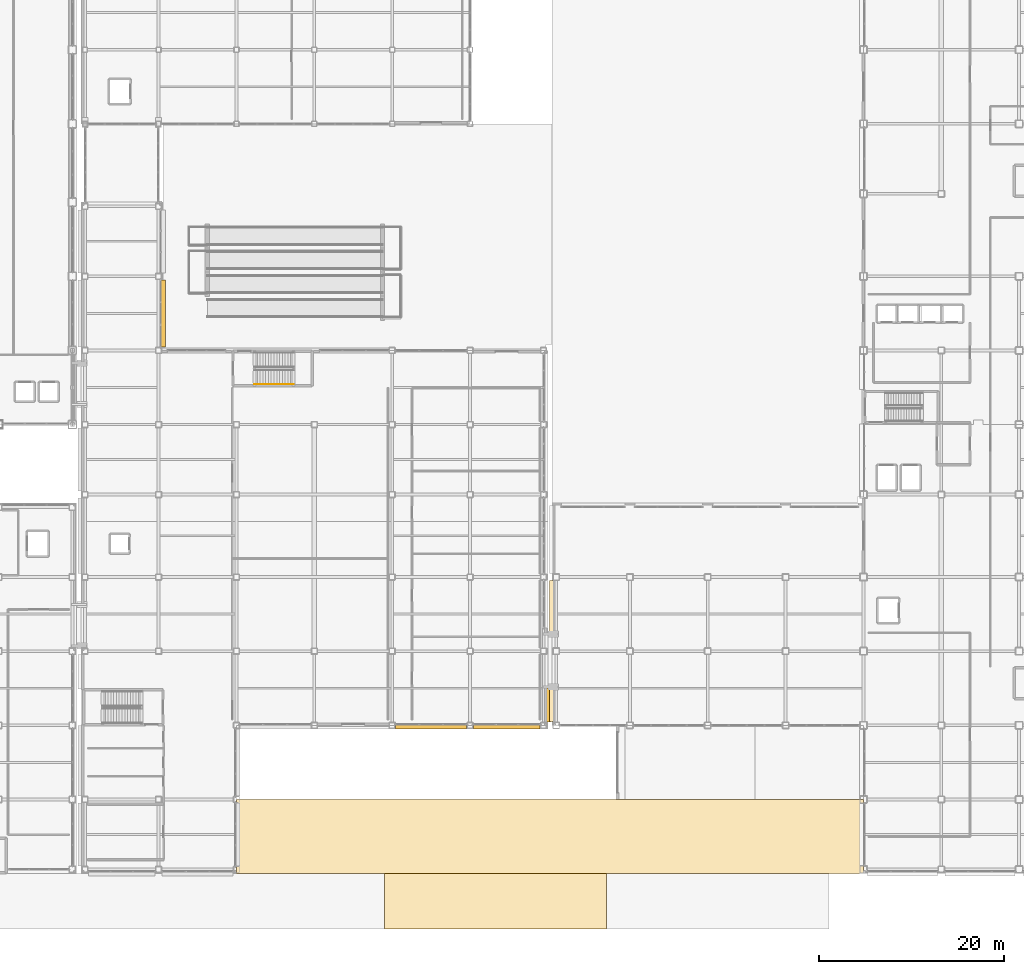
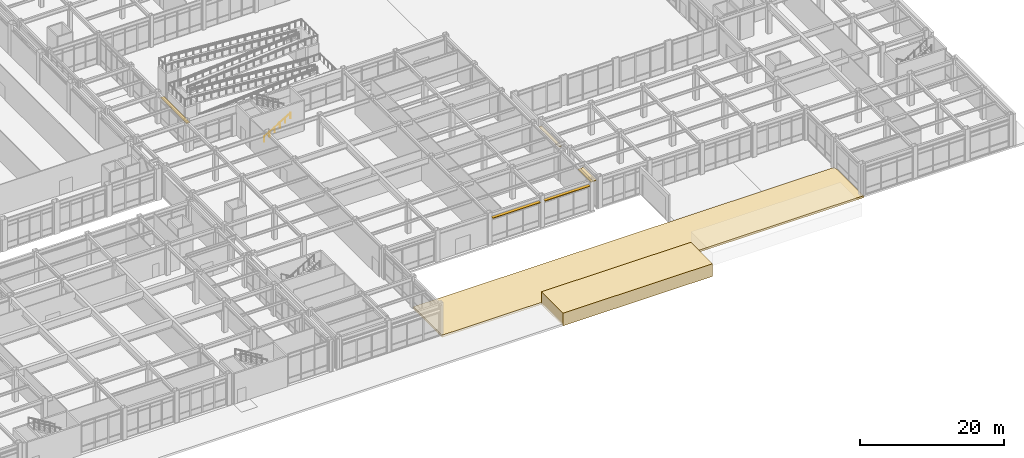
# One storey, part 149 of 165: 4 coverings, 4 shading devices, 1 railing.
"""IFC4 building model written with IfcOpenShell, lengths in metres."""

from ifc_helpers import new_model, si_unit, direction, frame, origin, origin_2d, place, context, subcontext, project, spatial, polyline, rectangle, circle, outline, extrude, material, layer, layer_set, type_object, element, save


model = new_model("IFC4")

# Units and contexts
model_context = context("Model", 3, precision=1e-05, world=origin(), true_north=direction((0.0, 1.0)))
body_context = subcontext(model_context, "Body", "Model", "MODEL_VIEW")
ifc_project = project(units=[si_unit("LENGTHUNIT", "METRE"), si_unit("AREAUNIT", "SQUARE_METRE"), si_unit("VOLUMEUNIT", "CUBIC_METRE"), si_unit("PLANEANGLEUNIT", "RADIAN"), si_unit("MASSUNIT", "GRAM", prefix="KILO")], contexts=[model_context])

# Site, building, storey
site_placement = place(None, origin())
site = spatial("IfcSite", under=ifc_project, at=site_placement, CompositionType="ELEMENT")
building_placement = place(site_placement, origin())
building = spatial("IfcBuilding", under=site, at=building_placement, Name="Kazehara Bluff Congress Hotel", CompositionType="ELEMENT")
storey_placement = place(building_placement, origin())
storey = spatial("IfcBuildingStorey", under=building, at=storey_placement, Name="L00", CompositionType="ELEMENT", Elevation=0.0)

# Coverings
ifc_material_1 = material(Name="Anodised aluminium architectural brise-soleil", Category="aluminium")
ifc_layer_1 = layer(ifc_material_1, 0.10009765625)
ifc_layer_set_1 = layer_set([ifc_layer_1], Name="Anodised aluminium architectural brise-soleil")
covering_type_1 = type_object("IfcCoveringType", Name="TP-FAC-FIN", PredefinedType="CLADDING", material=ifc_layer_set_1)
covering_1_placement = place(storey_placement, frame((110.080078125, 28.800048828125, 4.304931640625), z_axis=(0.0, 0.0, 1.0), x_axis=(1.0, 0.0, 0.0)))
element("IfcCovering", 1, at=covering_1_placement, inside=storey, type_object=covering_type_1, Name="L00 V5 architectural sun-hood 30", PredefinedType="CLADDING", context=body_context, shape_type="SweptSolid", body=[
    extrude(rectangle(XDim=0.52001953125, YDim=5.60009765625, at=origin_2d()), origin(), (0.0, 0.0, 1.0), 0.10009765625),
])
covering_2_placement = place(storey_placement, frame((110.080078125, 18.199951171875, 4.304931640625), z_axis=(0.0, 0.0, 1.0), x_axis=(1.0, 0.0, 0.0)))
element("IfcCovering", 2, at=covering_2_placement, inside=storey, type_object=covering_type_1, Name="L00 V5 architectural sun-hood 32", PredefinedType="CLADDING", context=body_context, shape_type="SweptSolid", body=[
    extrude(rectangle(XDim=0.52001953125, YDim=3.60009765625, at=origin_2d()), origin(), (0.0, 0.0, 1.0), 0.10009765625),
])

# Railing
ifc_material_2 = material(Name="Brushed stainless steel", Category="steel")
railing_type = type_object("IfcRailingType", Name="TP-HR-INT", PredefinedType="HANDRAIL", material=ifc_material_2)
railing_placement = place(storey_placement, frame((78.0, 52.800048828125, 0.179931640625)))
element("IfcRailing", 3, at=railing_placement, inside=storey, type_object=railing_type, Name="L00 ST-09 stair handrail 1", PredefinedType="HANDRAIL", context=body_context, shape_type="SweptSolid", body=[
    extrude(circle(Radius=0.02392578125, at=origin_2d()), frame((0.0, 0.0, 0.8759765625), z_axis=(0.857488527567, 0.0, 0.514503085598), x_axis=(0.0, 1.0, 0.0)), (0.0, 0.0, 1.0), 4.89794921875),
    extrude(circle(Radius=0.02099609375, at=origin_2d()), origin(), (0.0, 0.0, 1.0), 0.851806640625),
    extrude(circle(Radius=0.02099609375, at=origin_2d()), frame((0.840087890625, 0.0, 0.50390625)), (0.0, 0.0, 1.0), 0.851806640625),
    extrude(circle(Radius=0.02099609375, at=origin_2d()), frame((1.679931640625, 0.0, 1.008056640625)), (0.0, 0.0, 1.0), 0.851806640625),
    extrude(circle(Radius=0.02099609375, at=origin_2d()), frame((2.52001953125, 0.0, 1.511962890625)), (0.0, 0.0, 1.0), 0.851806640625),
    extrude(circle(Radius=0.02099609375, at=origin_2d()), frame((3.35986328125, 0.0, 2.01611328125)), (0.0, 0.0, 1.0), 0.851806640625),
    extrude(circle(Radius=0.02099609375, at=origin_2d()), frame((4.199951171875, 0.0, 2.52001953125)), (0.0, 0.0, 1.0), 0.851806640625),
])

# Shading devices
ifc_material_3 = material(Name="Anodised aluminium", Category="aluminium")
ifc_layer_2 = layer(ifc_material_3, 0.10009765625)
ifc_layer_set_2 = layer_set([ifc_layer_2], Name="Anodised aluminium")
shading_device_type = type_object("IfcShadingDeviceType", Name="TP-SHD-SCR", PredefinedType="USERDEFINED", material=ifc_layer_set_2)
shading_device_1_placement = place(storey_placement, frame((97.050048828125, 15.860107421875, 4.304931640625), z_axis=(0.0, 0.0, 1.0), x_axis=(1.0, 0.0, 0.0)))
element("IfcShadingDevice", 4, at=shading_device_1_placement, inside=storey, type_object=shading_device_type, Name="L00 V4 horizontal brise-soleil hood 6", ObjectType="SCREEN", PredefinedType="USERDEFINED", context=body_context, shape_type="SweptSolid", body=[
    extrude(rectangle(XDim=7.64990234375, YDim=0.52001953125, at=origin_2d()), origin(), (0.0, 0.0, 1.0), 0.10009765625),
])
shading_device_2_placement = place(storey_placement, frame((105.22509765625, 15.860107421875, 4.304931640625), z_axis=(0.0, 0.0, 1.0), x_axis=(1.0, 0.0, 0.0)))
element("IfcShadingDevice", 5, at=shading_device_2_placement, inside=storey, type_object=shading_device_type, Name="L00 V4 horizontal brise-soleil hood 7", ObjectType="SCREEN", PredefinedType="USERDEFINED", context=body_context, shape_type="SweptSolid", body=[
    extrude(rectangle(XDim=7.199951171875, YDim=0.52001953125, at=origin_2d()), origin(), (0.0, 0.0, 1.0), 0.10009765625),
])
shading_device_3_placement = place(storey_placement, frame((109.669921875, 18.18994140625, 4.304931640625), z_axis=(0.0, 0.0, 1.0), x_axis=(1.0, 0.0, 0.0)))
element("IfcShadingDevice", 6, at=shading_device_3_placement, inside=storey, type_object=shading_device_type, Name="L00 V4 horizontal brise-soleil hood 8", ObjectType="SCREEN", PredefinedType="USERDEFINED", context=body_context, shape_type="SweptSolid", body=[
    extrude(rectangle(XDim=0.52001953125, YDim=3.625, at=origin_2d()), origin(), (0.0, 0.0, 1.0), 0.10009765625),
])
shading_device_4_placement = place(storey_placement, frame((68.1201171875, 60.449951171875, 4.304931640625), z_axis=(0.0, 0.0, 1.0), x_axis=(1.0, 0.0, 0.0)))
element("IfcShadingDevice", 7, at=shading_device_4_placement, inside=storey, type_object=shading_device_type, Name="L00 V4 horizontal brise-soleil hood 9", ObjectType="SCREEN", PredefinedType="USERDEFINED", context=body_context, shape_type="SweptSolid", body=[
    extrude(rectangle(XDim=0.52001953125, YDim=7.25, at=origin_2d()), origin(), (0.0, 0.0, 1.0), 0.10009765625),
])

# Coverings
ifc_material_4 = material(Name="Granite stone site paving", Category="masonry")
ifc_layer_3 = layer(ifc_material_4, 0.35009765625)
ifc_layer_set_3 = layer_set([ifc_layer_3], Name="Granite stone site paving")
covering_type_2 = type_object("IfcCoveringType", Name="TP-SITE-PAV", PredefinedType="FLOORING", material=ifc_layer_set_3)
covering_3_placement = place(storey_placement, frame((0.0, 0.0, -0.35009765625)))
element("IfcCovering", 8, at=covering_3_placement, inside=storey, type_object=covering_type_2, Name="Osaka bluff granite site terrace PAV-SOUTH-BAY", PredefinedType="FLOORING", context=body_context, shape_type="SweptSolid", body=[
    extrude(outline(polyline([(76.050048828125, 0.0), (143.699951171875, 0.0), (143.699951171875, 8.0), (76.050048828125, 8.0), (76.050048828125, 0.0)])), origin(), (0.0, 0.0, 1.0), 0.35009765625),
])
ifc_material_5 = material(Name="Granite stone site paving", Category="masonry")
ifc_layer_4 = layer(ifc_material_5, 2.14990234375)
ifc_layer_set_4 = layer_set([ifc_layer_4], Name="Granite stone site paving")
covering_type_3 = type_object("IfcCoveringType", Name="TP-SITE-PAV2", PredefinedType="FLOORING", material=ifc_layer_set_4)
covering_4_placement = place(storey_placement, frame((0.0, 0.0, -0.35009765625)))
element("IfcCovering", 9, at=covering_4_placement, inside=storey, type_object=covering_type_3, Name="Osaka bluff granite site terrace PAV-STH-STEP1", PredefinedType="FLOORING", context=body_context, shape_type="SweptSolid", body=[
    extrude(outline(polyline([(92.0, -6.0), (116.0, -6.0), (116.0, 0.0), (92.0, 0.0), (92.0, -6.0)])), origin(), (0.0, 0.0, 1.0), 2.150146484375),
])

save(model, "model.ifc")
